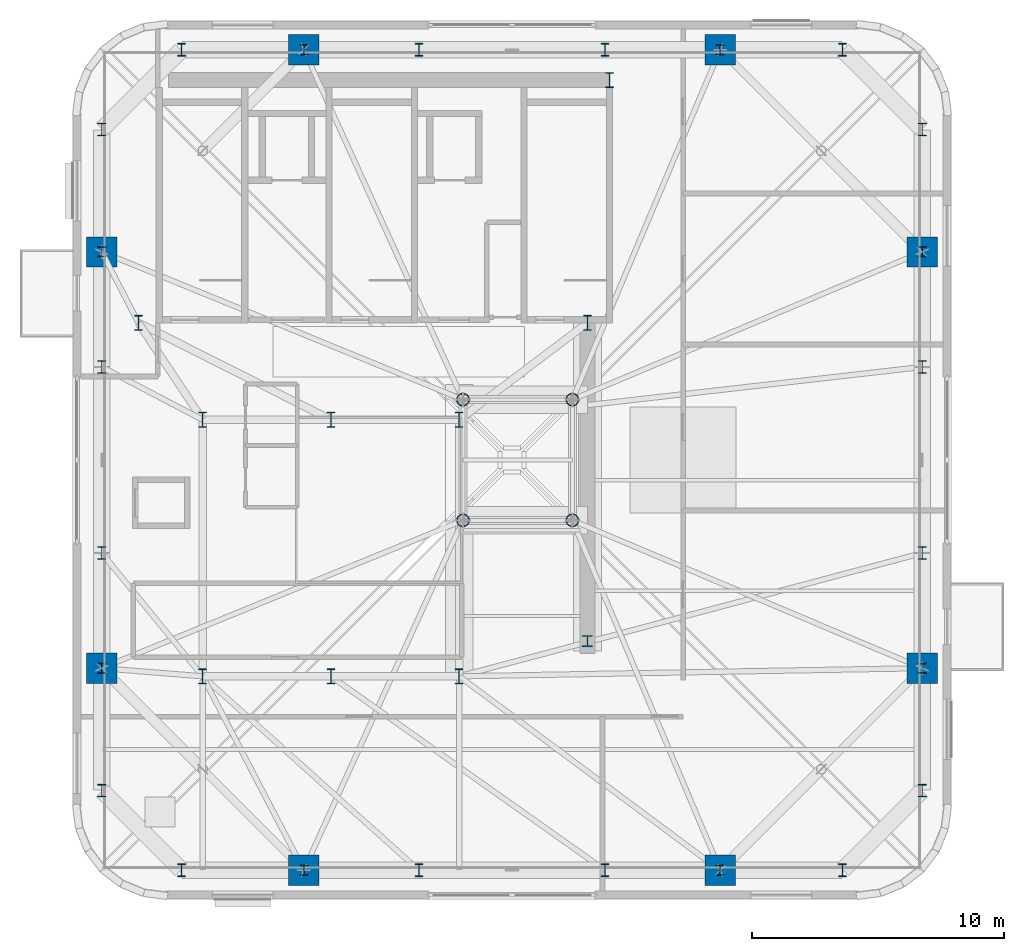
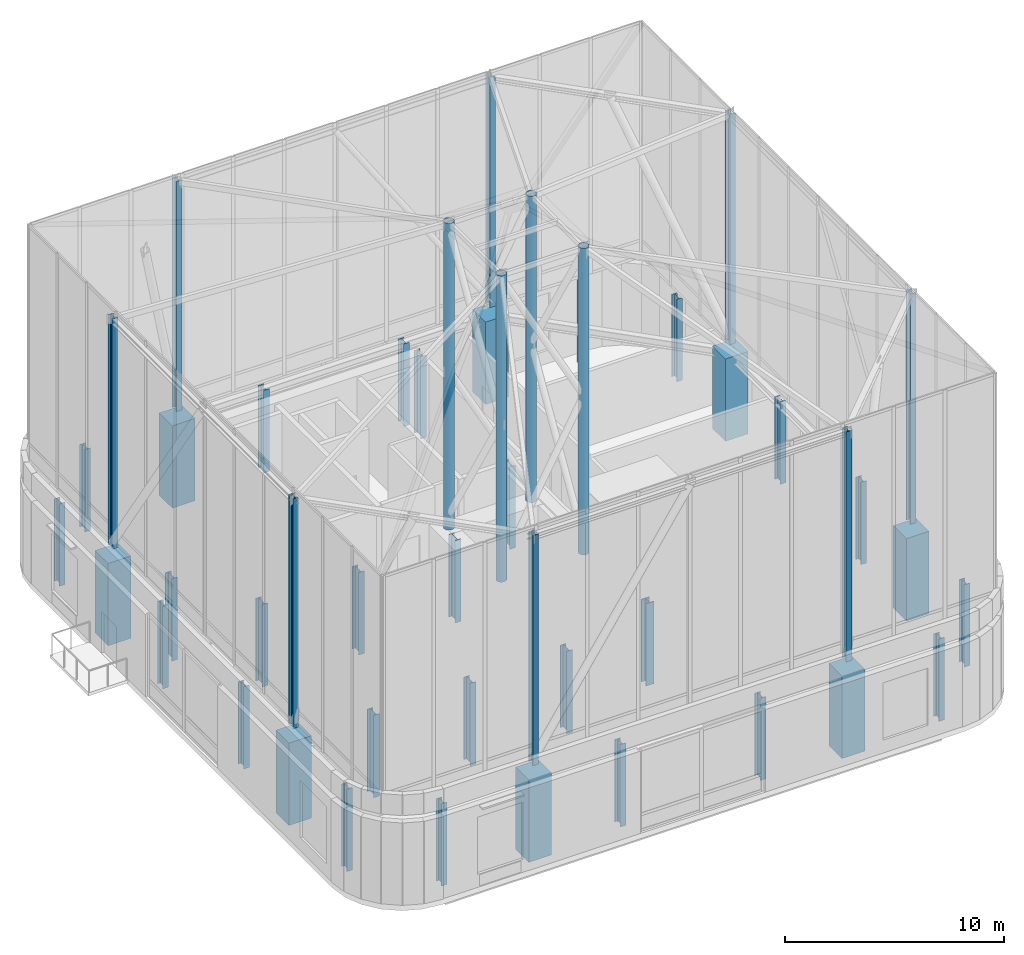
# One storey, part 1 of 15: 46 columns.
"""IFC4 building model written with IfcOpenShell, lengths in metres."""

from ifc_helpers import new_model, si_unit, direction, frame, origin, origin_2d, place, context, subcontext, project, spatial, rectangle, hollow_circle, i_section, extrude, source, transform, mapped, material, material_profile, profile_set, type_object, element, save


model = new_model("IFC4")

# Units and contexts
model_context = context("Model", 3, precision=1e-05, world=origin(), true_north=direction((0.0, 1.0)))
body_context = subcontext(model_context, "Body", "Model", "MODEL_VIEW")
ifc_project = project(units=[si_unit("LENGTHUNIT", "METRE"), si_unit("AREAUNIT", "SQUARE_METRE"), si_unit("VOLUMEUNIT", "CUBIC_METRE"), si_unit("PLANEANGLEUNIT", "RADIAN"), si_unit("MASSUNIT", "GRAM", prefix="KILO")], contexts=[model_context])

# Site, building, storey
site_placement = place(None, origin())
site = spatial("IfcSite", under=ifc_project, at=site_placement, CompositionType="ELEMENT")
building_placement = place(site_placement, origin())
building = spatial("IfcBuilding", under=site, at=building_placement, Name="Vardaveli Station Tower", CompositionType="ELEMENT")
storey_placement = place(building_placement, frame((0.0, 0.0, 301.14990234375)))
storey = spatial("IfcBuildingStorey", under=building, at=storey_placement, Name="L76", CompositionType="ELEMENT", Elevation=301.14990234375)

# Columns
ifc_material_1 = material(Name="Structural steel S460M", Category="steel")
ifc_material_profile_1 = material_profile(ifc_material_1, i_section(OverallWidth=0.300048828125, OverallDepth=0.60009765625, WebThickness=0.015380859375, FlangeThickness=0.030029296875, FilletRadius=0.027099609375, at=origin_2d()), Name="HEB 600")
ifc_profile_set_1 = profile_set([ifc_material_profile_1], Name="Structural steel S460M")
column_type_1 = type_object("IfcColumnType", Name="COL-HEB600", PredefinedType="COLUMN", material=ifc_profile_set_1)
shared_shape_1 = source(origin(), body_context, "Body", "SweptSolid", [
    extrude(i_section(OverallWidth=0.300048828125, OverallDepth=0.60009765625, WebThickness=0.015380859375, FlangeThickness=0.030029296875, FilletRadius=0.027099609375, at=origin_2d()), origin(), (0.0, 0.0, 1.0), 4.60009765625),
])
for number, where, z_axis, x_axis, name in (
    (1, (31.199951171875, 16.60009765625, 0.0), (0.0, 0.0, 1.0), (1.0, 0.0, 0.0), "COL-L76-AC1"),
    (2, (36.300048828125, 16.60009765625, 0.0), (0.0, 0.0, 1.0), (1.0, 0.0, 0.0), "COL-L76-AC2"),
    (3, (41.39990234375, 16.60009765625, 0.0), (0.0, 0.0, 1.0), (1.0, 0.0, 0.0), "COL-L76-AC3"),
    (4, (41.39990234375, 26.800048828125, 0.0), (0.0, 0.0, 1.0), (1.0, 0.0, 0.0), "COL-L76-AC4"),
    (5, (36.300048828125, 26.800048828125, 0.0), (0.0, 0.0, 1.0), (1.0, 0.0, 0.0), "COL-L76-AC5"),
    (6, (31.199951171875, 26.800048828125, 0.0), (0.0, 0.0, 1.0), (1.0, 0.0, 0.0), "COL-L76-AC6"),
    (7, (28.64990234375, 30.64990234375, 0.0), (0.0, 0.0, 1.0), (1.0, 0.0, 0.0), "COL-L76-CC1"),
    (8, (46.5, 30.64990234375, 0.0), (0.0, 0.0, 1.0), (1.0, 0.0, 0.0), "COL-L76-CC2"),
    (9, (47.3701171875, 40.300048828125, 0.0), (0.0, 0.0, 1.0), (1.0, 0.0, 0.0), "COL-L76-CC3"),
):
    element("IfcColumn", number, at=place(storey_placement, frame(where, z_axis=z_axis, x_axis=x_axis)), inside=storey, type_object=column_type_1, Name=name, PredefinedType="COLUMN", context=body_context, shape_type="MappedRepresentation", body=[
        mapped(shared_shape_1, transform((0.0, 0.0, 0.0), scale=1.0)),
    ])
ifc_material_2 = material(Name="Concrete C50/60", Category="concrete")
ifc_material_profile_2 = material_profile(ifc_material_2, rectangle(XDim=1.199951171875, YDim=1.199951171875, at=origin_2d()), Name="MC 1200x1200")
ifc_profile_set_2 = profile_set([ifc_material_profile_2], Name="Concrete C50/60")
column_type_2 = type_object("IfcColumnType", Name="COL-MC-1200", PredefinedType="COLUMN", material=ifc_profile_set_2)
shared_shape_2 = source(origin(), body_context, "Body", "SweptSolid", [
    extrude(rectangle(XDim=1.199951171875, YDim=1.199951171875, at=origin_2d()), origin(), (0.0, 0.0, 1.0), 4.60009765625),
])
for number, where, z_axis, x_axis, name in (
    (10, (35.22412109375, 8.889892578125, 0.0), (0.0, 0.0, 1.0), (1.0, 0.0, 0.0), "COL-L76-MC1"),
    (11, (51.77587890625, 8.889892578125, 0.0), (0.0, 0.0, 1.0), (1.0, 0.0, 0.0), "COL-L76-MC2"),
    (12, (59.81005859375, 16.92431640625, 0.0), (0.0, 0.0, 1.0), (1.0, 0.0, 0.0), "COL-L76-MC3"),
    (13, (59.81005859375, 33.475830078125, 0.0), (0.0, 0.0, 1.0), (1.0, 0.0, 0.0), "COL-L76-MC4"),
    (14, (51.77587890625, 41.510009765625, 0.0), (0.0, 0.0, 1.0), (1.0, 0.0, 0.0), "COL-L76-MC5"),
    (15, (35.22412109375, 41.510009765625, 0.0), (0.0, 0.0, 1.0), (1.0, 0.0, 0.0), "COL-L76-MC6"),
    (16, (27.18994140625, 33.475830078125, 0.0), (0.0, 0.0, 1.0), (1.0, 0.0, 0.0), "COL-L76-MC7"),
    (17, (27.18994140625, 16.92431640625, 0.0), (0.0, 0.0, 1.0), (1.0, 0.0, 0.0), "COL-L76-MC8"),
):
    element("IfcColumn", number, at=place(storey_placement, frame(where, z_axis=z_axis, x_axis=x_axis)), inside=storey, type_object=column_type_2, Name=name, PredefinedType="COLUMN", context=body_context, shape_type="MappedRepresentation", body=[
        mapped(shared_shape_2, transform((0.0, 0.0, 0.0), scale=1.0)),
    ])
ifc_material_3 = material(Name="Structural steel S355J2", Category="steel")
ifc_material_profile_3 = material_profile(ifc_material_3, i_section(OverallWidth=0.300048828125, OverallDepth=0.5, WebThickness=0.014404296875, FlangeThickness=0.028076171875, FilletRadius=0.027099609375, at=origin_2d()), Name="HEB 500")
ifc_profile_set_3 = profile_set([ifc_material_profile_3], Name="Structural steel S355J2")
column_type_3 = type_object("IfcColumnType", Name="COL-HEB500", PredefinedType="COLUMN", material=ifc_profile_set_3)
shared_shape_3 = source(origin(), body_context, "Body", "SweptSolid", [
    extrude(i_section(OverallWidth=0.300048828125, OverallDepth=0.5, WebThickness=0.014404296875, FlangeThickness=0.028076171875, FilletRadius=0.027099609375, at=origin_2d()), origin(), (0.0, 0.0, 1.0), 4.60009765625),
])
for number, where, z_axis, x_axis, name in (
    (18, (30.35693359375, 8.889892578125, 0.0), (0.0, 0.0, 1.0), (1.0, 0.0, 0.0), "COL-L76-PC01"),
    (19, (39.800048828125, 8.889892578125, 0.0), (0.0, 0.0, 1.0), (1.0, 0.0, 0.0), "COL-L76-PC02"),
    (20, (47.199951171875, 8.889892578125, 0.0), (0.0, 0.0, 1.0), (1.0, 0.0, 0.0), "COL-L76-PC03"),
    (21, (56.64306640625, 8.889892578125, 0.0), (0.0, 0.0, 1.0), (1.0, 0.0, 0.0), "COL-L76-PC04"),
    (22, (59.81005859375, 12.056884765625, 0.0), (0.0, 0.0, 1.0), (1.0, 0.0, 0.0), "COL-L76-PC05"),
    (23, (59.81005859375, 21.5, 0.0), (0.0, 0.0, 1.0), (1.0, 0.0, 0.0), "COL-L76-PC06"),
    (24, (59.81005859375, 28.89990234375, 0.0), (0.0, 0.0, 1.0), (1.0, 0.0, 0.0), "COL-L76-PC07"),
    (25, (59.81005859375, 38.343017578125, 0.0), (0.0, 0.0, 1.0), (1.0, 0.0, 0.0), "COL-L76-PC08"),
    (26, (56.64306640625, 41.510009765625, 0.0), (0.0, 0.0, 1.0), (1.0, 0.0, 0.0), "COL-L76-PC09"),
    (27, (47.199951171875, 41.510009765625, 0.0), (0.0, 0.0, 1.0), (1.0, 0.0, 0.0), "COL-L76-PC10"),
    (28, (39.800048828125, 41.510009765625, 0.0), (0.0, 0.0, 1.0), (1.0, 0.0, 0.0), "COL-L76-PC11"),
    (29, (30.35693359375, 41.510009765625, 0.0), (0.0, 0.0, 1.0), (1.0, 0.0, 0.0), "COL-L76-PC12"),
    (30, (27.18994140625, 38.343017578125, 0.0), (0.0, 0.0, 1.0), (1.0, 0.0, 0.0), "COL-L76-PC13"),
    (31, (27.18994140625, 28.89990234375, 0.0), (0.0, 0.0, 1.0), (1.0, 0.0, 0.0), "COL-L76-PC14"),
    (32, (27.18994140625, 21.5, 0.0), (0.0, 0.0, 1.0), (1.0, 0.0, 0.0), "COL-L76-PC15"),
    (33, (27.18994140625, 12.056884765625, 0.0), (0.0, 0.0, 1.0), (1.0, 0.0, 0.0), "COL-L76-PC16"),
):
    element("IfcColumn", number, at=place(storey_placement, frame(where, z_axis=z_axis, x_axis=x_axis)), inside=storey, type_object=column_type_3, Name=name, PredefinedType="COLUMN", context=body_context, shape_type="MappedRepresentation", body=[
        mapped(shared_shape_3, transform((0.0, 0.0, 0.0), scale=1.0)),
    ])
ifc_material_profile_4 = material_profile(ifc_material_3, i_section(OverallWidth=0.300048828125, OverallDepth=0.39990234375, WebThickness=0.013427734375, FlangeThickness=0.02392578125, FilletRadius=0.027099609375, at=origin_2d()), Name="HEB 400")
ifc_profile_set_4 = profile_set([ifc_material_profile_4], Name="Structural steel S355J2")
column_type_4 = type_object("IfcColumnType", Name="COL-HEB400", PredefinedType="COLUMN", material=ifc_profile_set_4)
shared_shape_4 = source(origin(), body_context, "Body", "SweptSolid", [
    extrude(i_section(OverallWidth=0.300048828125, OverallDepth=0.39990234375, WebThickness=0.013427734375, FlangeThickness=0.02392578125, FilletRadius=0.027099609375, at=origin_2d()), origin(), (0.0, 0.0, 1.0), 12.85009765625),
])
for number, where, z_axis, x_axis, name in (
    (34, (35.22412109375, 8.889892578125, 5.0), (0.0, 0.0, 1.0), (1.0, 0.0, 0.0), "COL-L76-CRC01"),
    (35, (51.77587890625, 8.889892578125, 5.0), (0.0, 0.0, 1.0), (1.0, 0.0, 0.0), "COL-L76-CRC02"),
    (36, (59.81005859375, 16.92431640625, 5.0), (0.0, 0.0, 1.0), (1.0, 0.0, 0.0), "COL-L76-CRC03"),
    (37, (59.81005859375, 33.475830078125, 5.0), (0.0, 0.0, 1.0), (1.0, 0.0, 0.0), "COL-L76-CRC04"),
    (38, (51.77587890625, 41.510009765625, 5.0), (0.0, 0.0, 1.0), (1.0, 0.0, 0.0), "COL-L76-CRC05"),
    (39, (35.22412109375, 41.510009765625, 5.0), (0.0, 0.0, 1.0), (1.0, 0.0, 0.0), "COL-L76-CRC06"),
    (40, (27.18994140625, 33.475830078125, 5.0), (0.0, 0.0, 1.0), (1.0, 0.0, 0.0), "COL-L76-CRC07"),
    (41, (27.18994140625, 16.92431640625, 5.0), (0.0, 0.0, 1.0), (1.0, 0.0, 0.0), "COL-L76-CRC08"),
):
    element("IfcColumn", number, at=place(storey_placement, frame(where, z_axis=z_axis, x_axis=x_axis)), inside=storey, type_object=column_type_4, Name=name, PredefinedType="COLUMN", context=body_context, shape_type="MappedRepresentation", body=[
        mapped(shared_shape_4, transform((0.0, 0.0, 0.0), scale=1.0)),
    ])
ifc_material_profile_5 = material_profile(ifc_material_1, i_section(OverallWidth=0.4189453125, OverallDepth=0.448974609375, WebThickness=0.030517578125, FlangeThickness=0.04833984375, FilletRadius=0.014892578125, at=origin_2d()), Name="HD 400x509")
ifc_profile_set_5 = profile_set([ifc_material_profile_5], Name="Structural steel S460M")
column_type_5 = type_object("IfcColumnType", Name="COL-HD509", PredefinedType="COLUMN", material=ifc_profile_set_5)
shared_shape_5 = source(origin(), body_context, "Body", "SweptSolid", [
    extrude(i_section(OverallWidth=0.4189453125, OverallDepth=0.448974609375, WebThickness=0.030517578125, FlangeThickness=0.04833984375, FilletRadius=0.014892578125, at=origin_2d()), origin(), (0.0, 0.0, 1.0), 4.60009765625),
])
column_placement = place(storey_placement, frame((46.5, 18.0, 0.0), z_axis=(0.0, 0.0, 1.0), x_axis=(1.0, 0.0, 0.0)))
element("IfcColumn", 42, at=column_placement, inside=storey, type_object=column_type_5, Name="COL-L76-CTE1", PredefinedType="COLUMN", context=body_context, shape_type="MappedRepresentation", body=[
    mapped(shared_shape_5, transform((0.0, 0.0, 0.0), scale=1.0)),
])
ifc_material_profile_6 = material_profile(ifc_material_1, hollow_circle(Radius=0.25390625, WallThickness=0.02490234375, at=origin_2d()), Name="CHS 508x25")
ifc_profile_set_6 = profile_set([ifc_material_profile_6], Name="Structural steel S460M")
column_type_6 = type_object("IfcColumnType", Name="COL-CHS508", PredefinedType="COLUMN", material=ifc_profile_set_6)
shared_shape_6 = source(origin(), body_context, "Body", "SweptSolid", [
    extrude(hollow_circle(Radius=0.25390625, WallThickness=0.02490234375, at=origin_2d()), origin(), (0.0, 0.0, 1.0), 17.1201171875),
])
for number, where, z_axis, x_axis, name in (
    (43, (41.550048828125, 22.800048828125, 4.60009765625), (0.0, 0.0, 1.0), (1.0, 0.0, 0.0), "COL-L76-APX1"),
    (44, (45.89990234375, 22.800048828125, 4.60009765625), (0.0, 0.0, 1.0), (1.0, 0.0, 0.0), "COL-L76-APX2"),
    (45, (45.89990234375, 27.60009765625, 4.60009765625), (0.0, 0.0, 1.0), (1.0, 0.0, 0.0), "COL-L76-APX3"),
    (46, (41.550048828125, 27.60009765625, 4.60009765625), (0.0, 0.0, 1.0), (1.0, 0.0, 0.0), "COL-L76-APX4"),
):
    element("IfcColumn", number, at=place(storey_placement, frame(where, z_axis=z_axis, x_axis=x_axis)), inside=storey, type_object=column_type_6, Name=name, PredefinedType="COLUMN", context=body_context, shape_type="MappedRepresentation", body=[
        mapped(shared_shape_6, transform((0.0, 0.0, 0.0), scale=1.0)),
    ])

save(model, "model.ifc")
